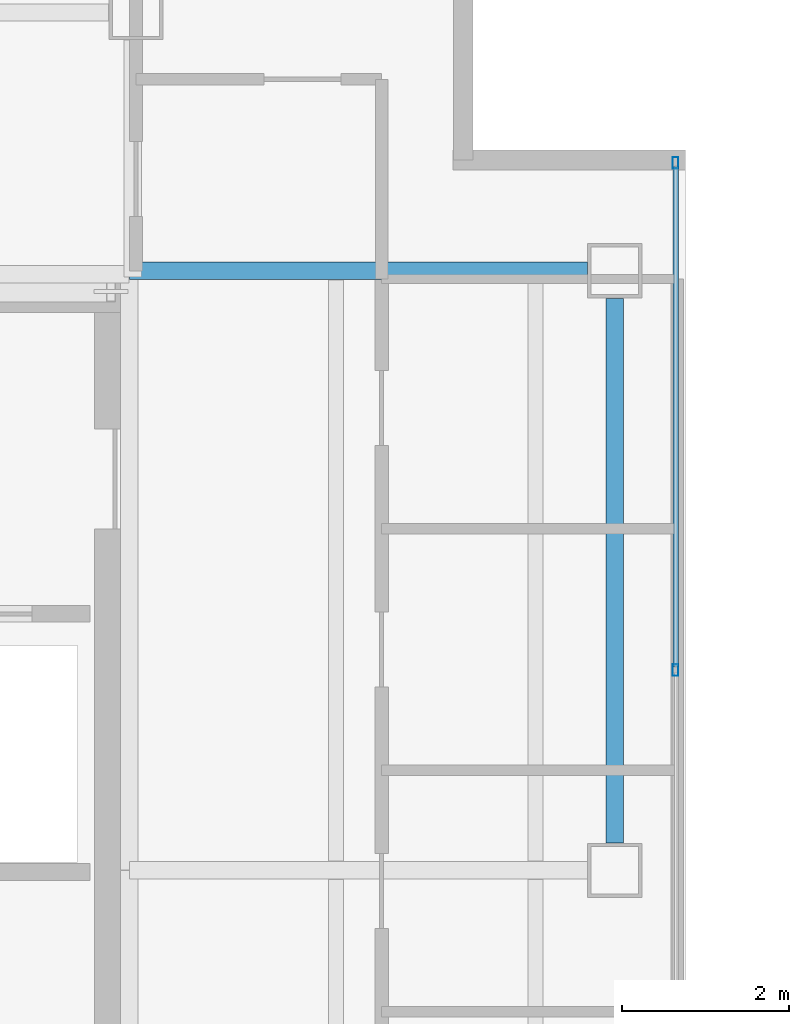
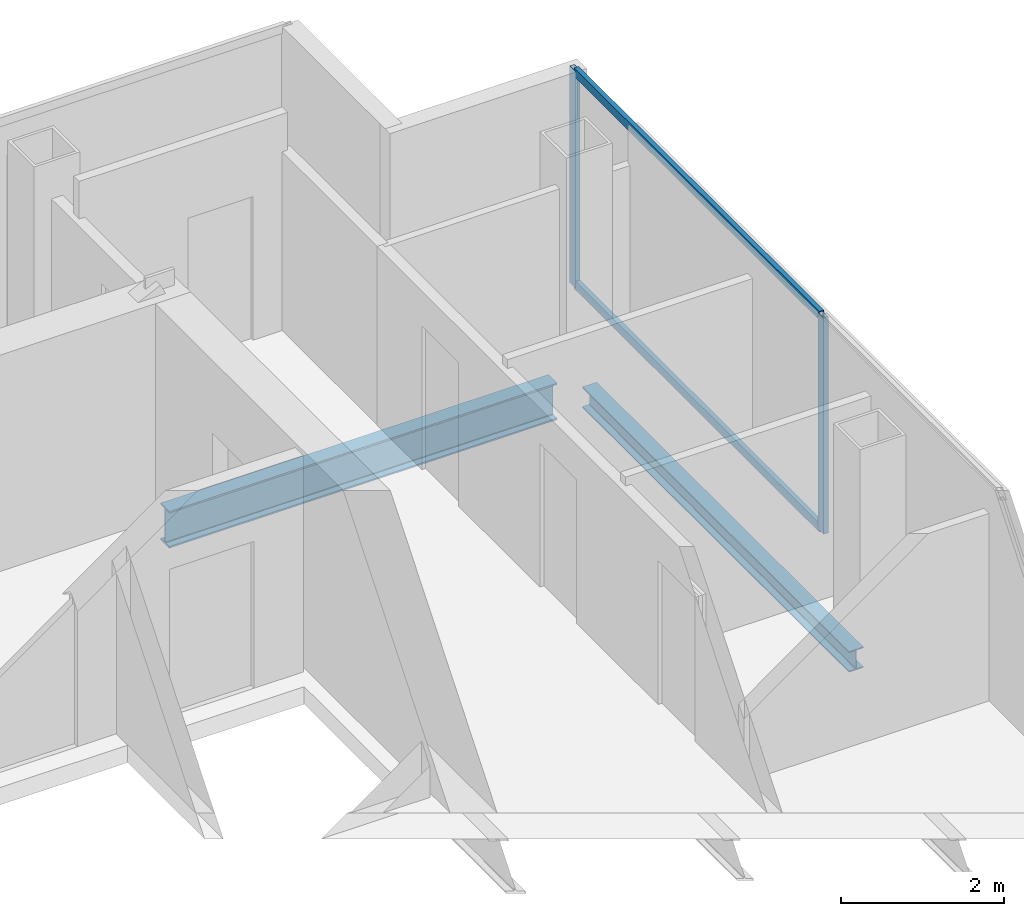
# One storey, part 11 of 23: 4 members, 2 beams, 1 element without a shape of its own.
"""IFC4 building model written with IfcOpenShell, lengths in metres."""

from ifc_helpers import new_model, si_unit, direction, frame, origin, origin_2d, place, context, subcontext, project, spatial, hollow_rectangle, i_section, extrude, material, material_profile, profile_set, type_object, element, aggregate, save


model = new_model("IFC4")

# Units and contexts
model_context = context("Model", 3, precision=1e-05, world=origin(), true_north=direction((0.0, 1.0)))
body_context = subcontext(model_context, "Body", "Model", "MODEL_VIEW")
ifc_project = project(units=[si_unit("LENGTHUNIT", "METRE"), si_unit("AREAUNIT", "SQUARE_METRE"), si_unit("VOLUMEUNIT", "CUBIC_METRE"), si_unit("PLANEANGLEUNIT", "RADIAN"), si_unit("MASSUNIT", "GRAM", prefix="KILO")], contexts=[model_context])

# Site, building, storey
site_placement = place(None, origin())
site = spatial("IfcSite", under=ifc_project, at=site_placement, CompositionType="ELEMENT")
building_placement = place(site_placement, origin())
building = spatial("IfcBuilding", under=site, at=building_placement, Name="Cobrela Telecom Tower", CompositionType="ELEMENT")
storey_placement = place(building_placement, frame((0.0, 0.0, 258.64990234375)))
storey = spatial("IfcBuildingStorey", under=building, at=storey_placement, Name="L67", CompositionType="ELEMENT", Elevation=258.64990234375)

# Beams
ifc_material_1 = material(Name="Steel ASTM A992 Grade 50", Category="steel")
ifc_material_profile_1 = material_profile(ifc_material_1, i_section(OverallWidth=0.212890625, OverallDepth=0.549072265625, WebThickness=0.0146484375, FlangeThickness=0.023681640625, FilletRadius=0.013916015625, at=origin_2d()), Name="W21X93")
ifc_profile_set_1 = profile_set([ifc_material_profile_1], Name="Steel ASTM A992 Grade 50")
beam_type_1 = type_object("IfcBeamType", Name="BM-GIRD-08", PredefinedType="USERDEFINED", material=ifc_profile_set_1)
beam_1_placement = place(storey_placement, frame((14.324951171875, 36.0, -0.534423828125), z_axis=(1.0, 0.0, 0.0), x_axis=(0.0, 1.0, 0.0)))
element("IfcBeam", 1, at=beam_1_placement, inside=storey, type_object=beam_type_1, Name="L67 Primary Girder X18", ObjectType="GIRDER", PredefinedType="USERDEFINED", context=body_context, shape_type="SweptSolid", body=[
    extrude(i_section(OverallWidth=0.212890625, OverallDepth=0.549072265625, WebThickness=0.0146484375, FlangeThickness=0.023681640625, FilletRadius=0.013916015625, at=origin_2d()), origin(), (0.0, 0.0, 1.0), 5.4951171875),
])
ifc_material_profile_2 = material_profile(ifc_material_1, i_section(OverallWidth=0.205078125, OverallDepth=0.31005859375, WebThickness=0.009521484375, FlangeThickness=0.016357421875, FilletRadius=0.010986328125, at=origin_2d()), Name="W12X50")
ifc_profile_set_2 = profile_set([ifc_material_profile_2], Name="Steel ASTM A992 Grade 50")
beam_type_2 = type_object("IfcBeamType", Name="BM-SPAND-07", PredefinedType="SPANDREL", material=ifc_profile_set_2)
beam_2_placement = place(storey_placement, frame((20.14990234375, 29.1298828125, -0.414794921875), z_axis=(0.0, 1.0, 0.0), x_axis=(-1.0, 0.0, 0.0)))
element("IfcBeam", 2, at=beam_2_placement, inside=storey, type_object=beam_type_2, Name="L67 Perimeter Spandrel Y26", PredefinedType="SPANDREL", context=body_context, shape_type="SweptSolid", body=[
    extrude(i_section(OverallWidth=0.205078125, OverallDepth=0.31005859375, WebThickness=0.009521484375, FlangeThickness=0.016357421875, FilletRadius=0.010986328125, at=origin_2d()), origin(), (0.0, 0.0, 1.0), 6.5400390625),
])

# Curtain wall, members
ifc_material_2 = material(Name="Anodized Bronze Aluminium 6063-T6", Category="aluminium")
curtain_wall_type = type_object("IfcCurtainWallType", Name="CW-SYS-OFF-HI", PredefinedType="USERDEFINED", material=ifc_material_2)
curtain_wall_placement = place(storey_placement, origin())
curtain_wall = element("IfcCurtainWall", 3, at=curtain_wall_placement, inside=storey, type_object=curtain_wall_type, Name="L67 Unitised Bronze Curtain Wall 08", ObjectType="UNITISED CURTAIN WALL", PredefinedType="USERDEFINED")
ifc_material_profile_3 = material_profile(ifc_material_2, hollow_rectangle(XDim=0.070068359375, YDim=0.139892578125, WallThickness=0.00390625, at=origin_2d()), Name="ALU 70x140x4")
ifc_profile_set_3 = profile_set([ifc_material_profile_3], Name="Anodized Bronze Aluminium 6063-T6")
member_type_1 = type_object("IfcMemberType", Name="CW-SYS-OFF-HI-MUL", PredefinedType="MULLION", material=ifc_profile_set_3)
member_1_placement = place(storey_placement, frame((20.8798828125, 37.294921875, 0.0), z_axis=(0.0, 0.0, 1.0), x_axis=(1.0, 0.0, 0.0)))
member_1 = element("IfcMember", 4, at=member_1_placement, type_object=member_type_1, Name="CW-OFF-HI mullion 1", PredefinedType="MULLION", context=body_context, shape_type="SweptSolid", body=[
    extrude(hollow_rectangle(XDim=0.070068359375, YDim=0.139892578125, WallThickness=0.00390625, at=origin_2d()), origin(), (0.0, 0.0, 1.0), 3.239990234375),
])
member_2_placement = place(storey_placement, frame((20.8798828125, 31.205078125, 0.0), z_axis=(0.0, 0.0, 1.0), x_axis=(1.0, 0.0, 0.0)))
member_2 = element("IfcMember", 5, at=member_2_placement, type_object=member_type_1, Name="CW-OFF-HI mullion 2", PredefinedType="MULLION", context=body_context, shape_type="SweptSolid", body=[
    extrude(hollow_rectangle(XDim=0.070068359375, YDim=0.139892578125, WallThickness=0.00390625, at=origin_2d()), origin(), (0.0, 0.0, 1.0), 3.239990234375),
])
ifc_material_profile_4 = material_profile(ifc_material_2, hollow_rectangle(XDim=0.06494140625, YDim=0.1298828125, WallThickness=0.00390625, at=origin_2d()), Name="ALU 65x130x4")
ifc_profile_set_4 = profile_set([ifc_material_profile_4], Name="Anodized Bronze Aluminium 6063-T6")
member_type_2 = type_object("IfcMemberType", Name="CW-SYS-OFF-HI-TRN", PredefinedType="USERDEFINED", material=ifc_profile_set_4)
member_3_placement = place(storey_placement, frame((20.8798828125, 37.260009765625, 0.03271484375), z_axis=(0.0, -1.0, 0.0), x_axis=(1.0, 0.0, 0.0)))
member_3 = element("IfcMember", 6, at=member_3_placement, type_object=member_type_2, Name="CW-OFF-HI transom 1.1", ObjectType="TRANSOM", PredefinedType="USERDEFINED", context=body_context, shape_type="SweptSolid", body=[
    extrude(hollow_rectangle(XDim=0.06494140625, YDim=0.1298828125, WallThickness=0.00390625, at=origin_2d()), origin(), (0.0, 0.0, 1.0), 6.02001953125),
])
member_4_placement = place(storey_placement, frame((20.8798828125, 37.260009765625, 3.20751953125), z_axis=(0.0, -1.0, 0.0), x_axis=(1.0, 0.0, 0.0)))
member_4 = element("IfcMember", 7, at=member_4_placement, type_object=member_type_2, Name="CW-OFF-HI transom 1.2", ObjectType="TRANSOM", PredefinedType="USERDEFINED", context=body_context, shape_type="SweptSolid", body=[
    extrude(hollow_rectangle(XDim=0.06494140625, YDim=0.1298828125, WallThickness=0.00390625, at=origin_2d()), origin(), (0.0, 0.0, 1.0), 6.02001953125),
])
aggregate(curtain_wall, [member_1, member_2, member_3, member_4])

save(model, "model.ifc")
